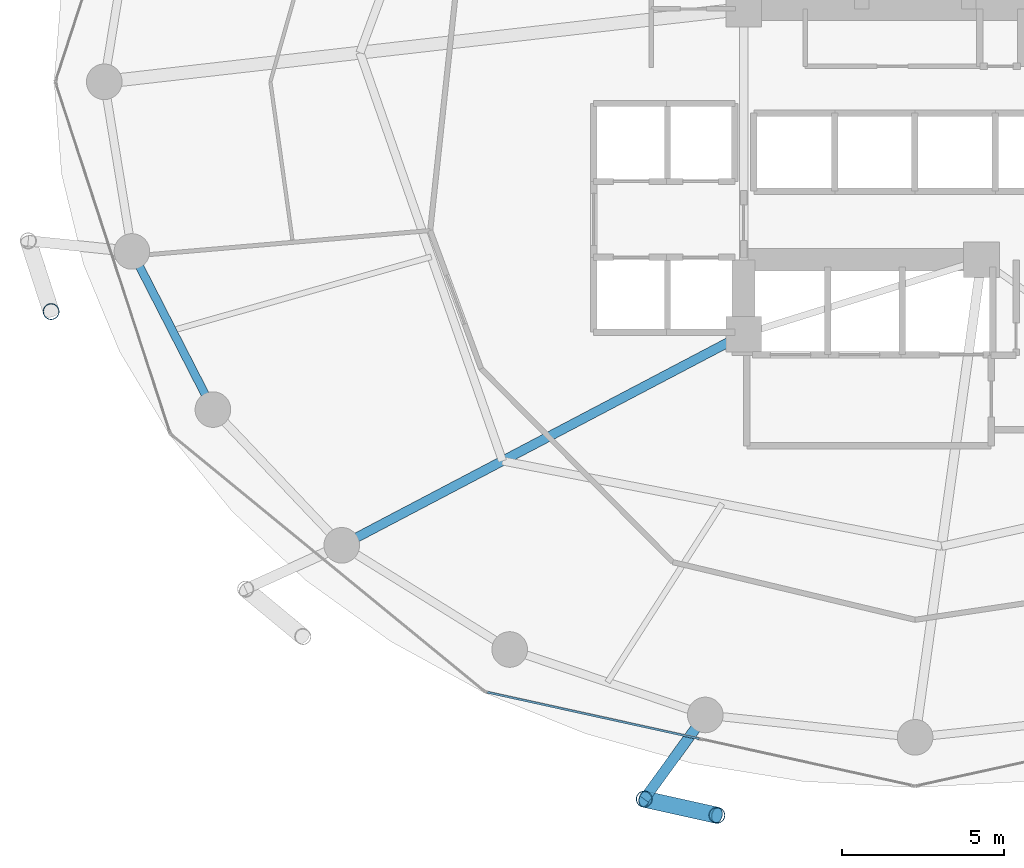
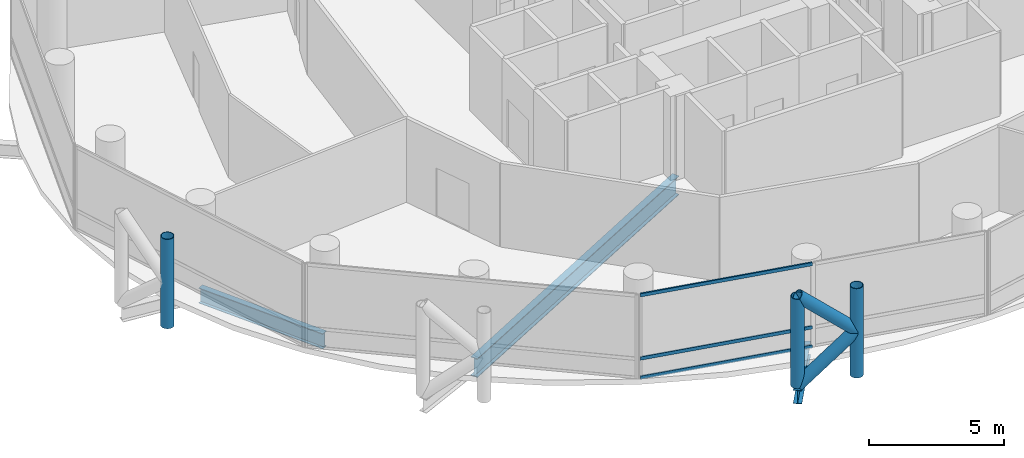
# One storey, part 3 of 24: 8 members, 3 beams, 1 element without a shape of its own.
"""IFC4 building model written with IfcOpenShell, lengths in metres."""

from ifc_helpers import new_model, si_unit, direction, frame, origin, origin_2d, place, context, subcontext, project, spatial, hollow_rectangle, hollow_circle, i_section, extrude, material, layer, layer_set, material_profile, profile_set, type_object, element, aggregate, save


model = new_model("IFC4")

# Units and contexts
model_context = context("Model", 3, precision=1e-05, world=origin(), true_north=direction((0.0, 1.0)))
body_context = subcontext(model_context, "Body", "Model", "MODEL_VIEW")
ifc_project = project(units=[si_unit("LENGTHUNIT", "METRE"), si_unit("AREAUNIT", "SQUARE_METRE"), si_unit("VOLUMEUNIT", "CUBIC_METRE"), si_unit("PLANEANGLEUNIT", "RADIAN"), si_unit("MASSUNIT", "GRAM", prefix="KILO")], contexts=[model_context])

# Site, building, storey
site_placement = place(None, origin())
site = spatial("IfcSite", under=ifc_project, at=site_placement, CompositionType="ELEMENT")
building_placement = place(site_placement, origin())
building = spatial("IfcBuilding", under=site, at=building_placement, Name="Nuhasar Tower", CompositionType="ELEMENT")
storey_placement = place(building_placement, frame((0.0, 0.0, 81.75)))
storey = spatial("IfcBuildingStorey", under=building, at=storey_placement, Name="L19", CompositionType="ELEMENT", Elevation=81.75)

# Beams
ifc_material_1 = material(Name="Steel S355", Category="steel")
ifc_material_profile_1 = material_profile(ifc_material_1, i_section(OverallWidth=0.2919921875, OverallDepth=0.85888671875, WebThickness=0.01708984375, FlangeThickness=0.031005859375, at=origin_2d()), Name="W33X169")
ifc_profile_set_1 = profile_set([ifc_material_profile_1], Name="Steel S355")
beam_type_1 = type_object("IfcBeamType", Name="BM-POD-W33X169", PredefinedType="BEAM", material=ifc_profile_set_1)
beam_1_placement = place(storey_placement, frame((33.699951171875, 19.0, -0.679931640625), z_axis=(-0.885330348705, -0.464962550816, 0.0), x_axis=(0.464962550816, -0.885330348705, 0.0)))
element("IfcBeam", 1, at=beam_1_placement, inside=storey, type_object=beam_type_1, Name="L19 Radial Floor Girder 01", PredefinedType="BEAM", context=body_context, shape_type="SweptSolid", body=[
    extrude(i_section(OverallWidth=0.2919921875, OverallDepth=0.85888671875, WebThickness=0.01708984375, FlangeThickness=0.031005859375, at=origin_2d()), origin(), (0.0, 0.0, 1.0), 14.0205078125),
])
ifc_material_profile_2 = material_profile(ifc_material_1, i_section(OverallWidth=0.256103515625, OverallDepth=0.693115234375, WebThickness=0.014404296875, FlangeThickness=0.023681640625, at=origin_2d()), Name="W27X114")
ifc_profile_set_2 = profile_set([ifc_material_profile_2], Name="Steel S355")
beam_type_2 = type_object("IfcBeamType", Name="BM-RING-W27X114", PredefinedType="SPANDREL", material=ifc_profile_set_2)
beam_2_placement = place(storey_placement, frame((14.803955078125, 21.55908203125, -0.596923828125), z_axis=(0.455930023905, -0.890015625314, 0.0), x_axis=(0.890015625314, 0.455930023905, 0.0)))
element("IfcBeam", 2, at=beam_2_placement, inside=storey, type_object=beam_type_2, Name="L19 Perimeter Ring Spandrel 14", PredefinedType="SPANDREL", context=body_context, shape_type="SweptSolid", body=[
    extrude(i_section(OverallWidth=0.256103515625, OverallDepth=0.693115234375, WebThickness=0.014404296875, FlangeThickness=0.023681640625, at=origin_2d()), origin(), (0.0, 0.0, 1.0), 5.487548828125),
])
ifc_material_profile_3 = material_profile(ifc_material_1, i_section(OverallWidth=0.323974609375, OverallDepth=0.611083984375, WebThickness=0.0126953125, FlangeThickness=0.01904296875, at=origin_2d()), Name="W24X104")
ifc_profile_set_3 = profile_set([ifc_material_profile_3], Name="Steel S355")
beam_type_3 = type_object("IfcBeamType", Name="BM-TIE-W24X104", PredefinedType="BEAM", material=ifc_profile_set_3)
beam_3_placement = place(storey_placement, frame((32.51708984375, 7.239990234375, -0.554931640625), z_axis=(-0.587403316448, -0.809294349311, 0.0), x_axis=(0.809294349311, -0.587403316448, 0.0)))
element("IfcBeam", 3, at=beam_3_placement, inside=storey, type_object=beam_type_3, Name="L19 Exoskeleton Node Tie Beam 09", PredefinedType="BEAM", context=body_context, shape_type="SweptSolid", body=[
    extrude(i_section(OverallWidth=0.323974609375, OverallDepth=0.611083984375, WebThickness=0.0126953125, FlangeThickness=0.01904296875, at=origin_2d()), origin(), (0.0, 0.0, 1.0), 3.212890625),
])

# Curtain wall, members
ifc_material_2 = material(Name="Aluminium 6063-T6", Category="aluminium")
ifc_layer = layer(ifc_material_2, 0.199951171875)
ifc_layer_set = layer_set([ifc_layer], Name="Aluminium 6063-T6")
curtain_wall_type = type_object("IfcCurtainWallType", Name="CW-Z1-OFF", PredefinedType="NOTDEFINED", material=ifc_layer_set)
curtain_wall_placement = place(storey_placement, origin())
curtain_wall = element("IfcCurtainWall", 4, at=curtain_wall_placement, inside=storey, type_object=curtain_wall_type, Name="L19 Unitised Curtain Wall 09", PredefinedType="NOTDEFINED")
ifc_material_profile_4 = material_profile(ifc_material_2, hollow_rectangle(XDim=0.06494140625, YDim=0.14990234375, WallThickness=0.00439453125, at=origin_2d()), Name="CWT-2")
ifc_profile_set_4 = profile_set([ifc_material_profile_4], Name="Aluminium 6063-T6")
member_type_1 = type_object("IfcMemberType", Name="CW-TRN-S2", PredefinedType="USERDEFINED", material=ifc_profile_set_4)
member_1_placement = place(storey_placement, frame((25.783447265625, 7.941162109375, 0.032470703125), z_axis=(0.976741923778, -0.214418316228, 0.0), x_axis=(0.214418316228, 0.976741923778, 0.0)))
member_1 = element("IfcMember", 5, at=member_1_placement, type_object=member_type_1, Name="CW-Z1 transom 1.1", ObjectType="TRANSOM", PredefinedType="USERDEFINED", context=body_context, shape_type="SweptSolid", body=[
    extrude(hollow_rectangle(XDim=0.06494140625, YDim=0.14990234375, WallThickness=0.00439453125, at=origin_2d()), origin(), (0.0, 0.0, 1.0), 6.70068359375),
])
member_2_placement = place(storey_placement, frame((25.783447265625, 7.941162109375, 0.89990234375), z_axis=(0.976741923778, -0.214418316228, 0.0), x_axis=(0.214418316228, 0.976741923778, 0.0)))
member_2 = element("IfcMember", 6, at=member_2_placement, type_object=member_type_1, Name="CW-Z1 transom 1.2", ObjectType="TRANSOM", PredefinedType="USERDEFINED", context=body_context, shape_type="SweptSolid", body=[
    extrude(hollow_rectangle(XDim=0.06494140625, YDim=0.14990234375, WallThickness=0.00439453125, at=origin_2d()), origin(), (0.0, 0.0, 1.0), 6.70068359375),
])
member_3_placement = place(storey_placement, frame((25.783447265625, 7.941162109375, 3.767578125), z_axis=(0.976741923778, -0.214418316228, 0.0), x_axis=(0.214418316228, 0.976741923778, 0.0)))
member_3 = element("IfcMember", 7, at=member_3_placement, type_object=member_type_1, Name="CW-Z1 transom 1.3", ObjectType="TRANSOM", PredefinedType="USERDEFINED", context=body_context, shape_type="SweptSolid", body=[
    extrude(hollow_rectangle(XDim=0.06494140625, YDim=0.14990234375, WallThickness=0.00439453125, at=origin_2d()), origin(), (0.0, 0.0, 1.0), 6.70068359375),
])
aggregate(curtain_wall, [member_1, member_2, member_3])

# Members
ifc_material_3 = material(Name="Steel S460", Category="steel")
ifc_material_profile_5 = material_profile(ifc_material_3, hollow_circle(Radius=0.25390625, WallThickness=0.025390625, at=origin_2d()), Name="HSS508X25.4")
ifc_profile_set_5 = profile_set([ifc_material_profile_5], Name="Steel S460")
member_type_2 = type_object("IfcMemberType", Name="EXO-BRONZE-508", PredefinedType="BRACE", material=ifc_profile_set_5)
for number, where, z_axis, x_axis, name in (
    (8, (12.30810546875, 19.700927734375, 0.0), (0.0, 0.0, 1.0), (1.0, 0.0, 0.0), "L19 Exoskeleton Chord Column EC-07B"),
    (9, (30.6298828125, 4.639892578125, 0.0), (0.0, 0.0, 1.0), (1.0, 0.0, 0.0), "L19 Exoskeleton Chord Column EC-09A"),
    (10, (32.8759765625, 4.14111328125, 0.0), (0.0, 0.0, 1.0), (1.0, 0.0, 0.0), "L19 Exoskeleton Chord Column EC-09B"),
):
    element("IfcMember", number, at=place(storey_placement, frame(where, z_axis=z_axis, x_axis=x_axis)), inside=storey, type_object=member_type_2, Name=name, PredefinedType="BRACE", context=body_context, shape_type="SweptSolid", body=[
        extrude(hollow_circle(Radius=0.25390625, WallThickness=0.025390625, at=origin_2d()), origin(), (0.0, 0.0, 1.0), 4.050048828125),
    ])
member_4_placement = place(storey_placement, frame((30.6298828125, 4.639892578125, 0.0), z_axis=(0.732830973624, -0.162736269469, 0.66066305383), x_axis=(0.216784396973, 0.976219506683, 0.0)))
element("IfcMember", 11, at=member_4_placement, inside=storey, type_object=member_type_2, Name="L19 Bronze Diagrid Brace W1-09", PredefinedType="BRACE", context=body_context, shape_type="SweptSolid", body=[
    extrude(hollow_circle(Radius=0.25390625, WallThickness=0.025390625, at=origin_2d()), origin(), (0.0, 0.0, 1.0), 3.06494140625),
])
member_5_placement = place(storey_placement, frame((32.8759765625, 4.14111328125, 2.02490234375), z_axis=(-0.732792408767, 0.162727705556, 0.660707938122), x_axis=(-0.216784396973, -0.976219506683, 0.0)))
element("IfcMember", 12, at=member_5_placement, inside=storey, type_object=member_type_2, Name="L19 Bronze Diagrid Brace W2-09", PredefinedType="BRACE", context=body_context, shape_type="SweptSolid", body=[
    extrude(hollow_circle(Radius=0.25390625, WallThickness=0.025390625, at=origin_2d()), origin(), (0.0, 0.0, 1.0), 3.065185546875),
])

save(model, "model.ifc")
